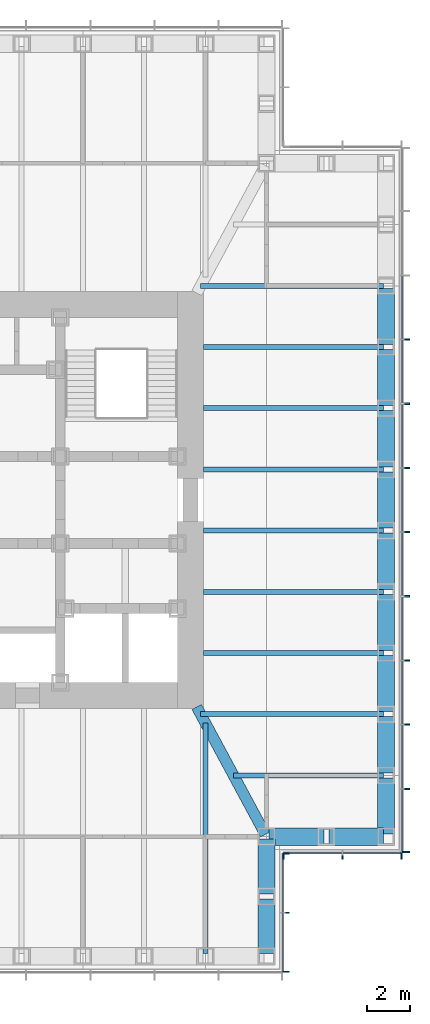
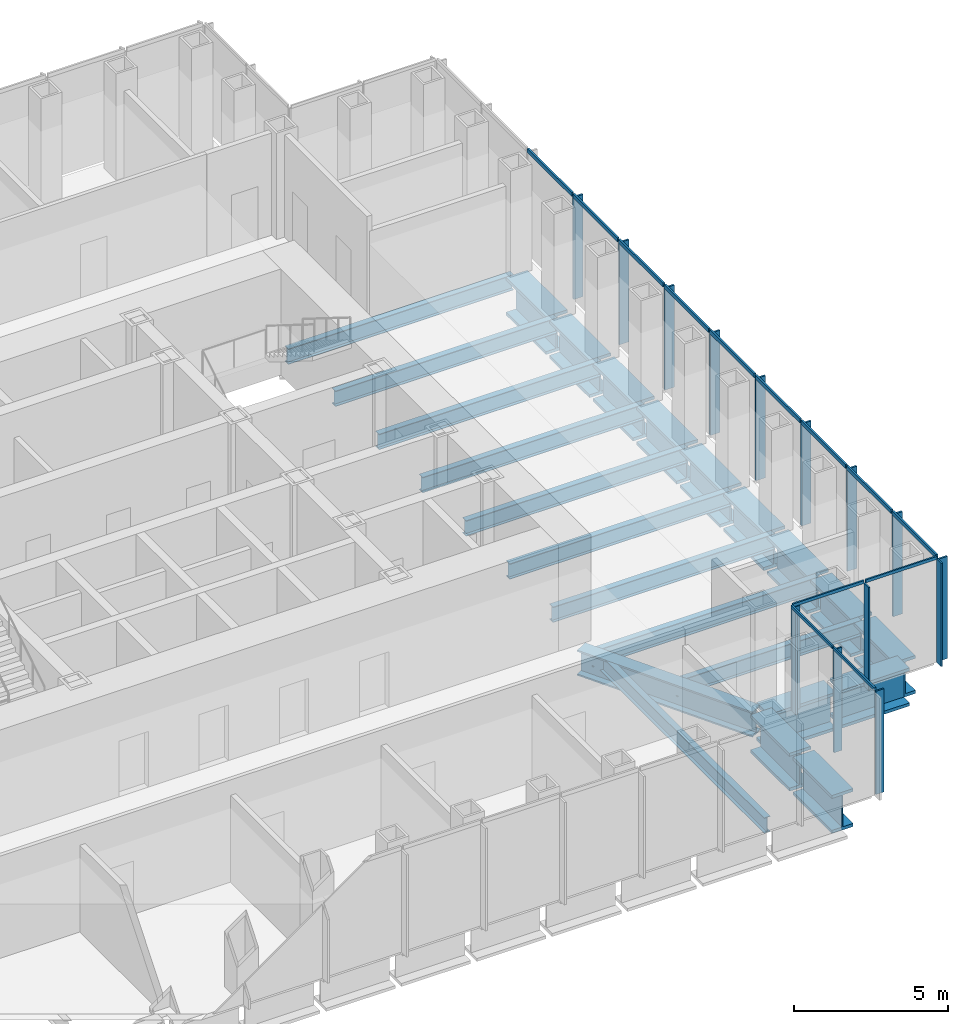
# One storey, part 4 of 16: 28 members, 24 beams, 3 elements without a shape of their own.
"""IFC4 building model written with IfcOpenShell, lengths in metres."""

from ifc_helpers import new_model, si_unit, direction, frame, origin, origin_2d, place, context, subcontext, project, spatial, rectangle, i_section, extrude, material, material_profile, profile_set, type_object, element, aggregate, save


model = new_model("IFC4")

# Units and contexts
model_context = context("Model", 3, precision=1e-05, world=origin(), true_north=direction((0.0, 1.0)))
body_context = subcontext(model_context, "Body", "Model", "MODEL_VIEW")
ifc_project = project(units=[si_unit("LENGTHUNIT", "METRE"), si_unit("AREAUNIT", "SQUARE_METRE"), si_unit("VOLUMEUNIT", "CUBIC_METRE"), si_unit("PLANEANGLEUNIT", "RADIAN"), si_unit("MASSUNIT", "GRAM", prefix="KILO")], contexts=[model_context])

# Site, building, storey
site_placement = place(None, origin())
site = spatial("IfcSite", under=ifc_project, at=site_placement, CompositionType="ELEMENT")
building_placement = place(site_placement, origin())
building = spatial("IfcBuilding", under=site, at=building_placement, Name="Daluyong Arena Tower", CompositionType="ELEMENT")
storey_placement = place(building_placement, frame((0.0, 0.0, 227.5)))
storey = spatial("IfcBuildingStorey", under=building, at=storey_placement, Name="L51", CompositionType="ELEMENT", Elevation=227.5)

# Curtain wall, members
ifc_material_1 = material(Name="Bronze anodised aluminium and glass", Category="aluminium")
curtain_wall_type_1 = type_object("IfcCurtainWallType", Name="Curtain wall CW3", PredefinedType="USERDEFINED", material=ifc_material_1)
curtain_wall_1_placement = place(storey_placement, origin())
curtain_wall_1 = element("IfcCurtainWall", 1, at=curtain_wall_1_placement, inside=storey, type_object=curtain_wall_type_1, Name="curtain wall L51 E", ObjectType="UNITISED CURTAIN WALL", PredefinedType="USERDEFINED")
ifc_material_2 = material(Name="Bronze anodised aluminium fin", Category="aluminium")
ifc_material_profile_1 = material_profile(ifc_material_2, rectangle(XDim=0.35009765625, YDim=0.070068359375, at=origin_2d()))
ifc_profile_set_1 = profile_set([ifc_material_profile_1], Name="Bronze anodised aluminium fin")
member_type_1 = type_object("IfcMemberType", Name="CW3 bronze fin 350x70", PredefinedType="MULLION", material=ifc_profile_set_1)
member_1_placement = place(storey_placement, frame((77.925048828125, 63.784912109375, 0.0), z_axis=(0.0, 0.0, 1.0), x_axis=(-1.0, 0.0, 0.0)))
member_1 = element("IfcMember", 2, at=member_1_placement, type_object=member_type_1, Name="curtain wall L51 E fin 1", PredefinedType="MULLION", context=body_context, shape_type="SweptSolid", body=[
    extrude(rectangle(XDim=0.35009765625, YDim=0.070068359375, at=origin_2d()), origin(), (0.0, 0.0, 1.0), 4.0400390625),
])
member_2_placement = place(storey_placement, frame((77.925048828125, 66.70458984375, 0.0), z_axis=(0.0, 0.0, 1.0), x_axis=(-1.0, 0.0, 0.0)))
member_2 = element("IfcMember", 3, at=member_2_placement, type_object=member_type_1, Name="curtain wall L51 E fin 2", PredefinedType="MULLION", context=body_context, shape_type="SweptSolid", body=[
    extrude(rectangle(XDim=0.35009765625, YDim=0.070068359375, at=origin_2d()), origin(), (0.0, 0.0, 1.0), 4.0400390625),
])
member_3_placement = place(storey_placement, frame((77.925048828125, 69.6591796875, 0.0), z_axis=(0.0, 0.0, 1.0), x_axis=(-1.0, 0.0, 0.0)))
member_3 = element("IfcMember", 4, at=member_3_placement, type_object=member_type_1, Name="curtain wall L51 E fin 3", PredefinedType="MULLION", context=body_context, shape_type="SweptSolid", body=[
    extrude(rectangle(XDim=0.35009765625, YDim=0.070068359375, at=origin_2d()), origin(), (0.0, 0.0, 1.0), 4.0400390625),
])
member_4_placement = place(storey_placement, frame((77.925048828125, 72.613525390625, 0.0), z_axis=(0.0, 0.0, 1.0), x_axis=(-1.0, 0.0, 0.0)))
member_4 = element("IfcMember", 5, at=member_4_placement, type_object=member_type_1, Name="curtain wall L51 E fin 4", PredefinedType="MULLION", context=body_context, shape_type="SweptSolid", body=[
    extrude(rectangle(XDim=0.35009765625, YDim=0.070068359375, at=origin_2d()), origin(), (0.0, 0.0, 1.0), 4.0400390625),
])
member_5_placement = place(storey_placement, frame((77.925048828125, 75.568115234375, 0.0), z_axis=(0.0, 0.0, 1.0), x_axis=(-1.0, 0.0, 0.0)))
member_5 = element("IfcMember", 6, at=member_5_placement, type_object=member_type_1, Name="curtain wall L51 E fin 5", PredefinedType="MULLION", context=body_context, shape_type="SweptSolid", body=[
    extrude(rectangle(XDim=0.35009765625, YDim=0.070068359375, at=origin_2d()), origin(), (0.0, 0.0, 1.0), 4.0400390625),
])
member_6_placement = place(storey_placement, frame((77.925048828125, 78.522705078125, 0.0), z_axis=(0.0, 0.0, 1.0), x_axis=(-1.0, 0.0, 0.0)))
member_6 = element("IfcMember", 7, at=member_6_placement, type_object=member_type_1, Name="curtain wall L51 E fin 6", PredefinedType="MULLION", context=body_context, shape_type="SweptSolid", body=[
    extrude(rectangle(XDim=0.35009765625, YDim=0.070068359375, at=origin_2d()), origin(), (0.0, 0.0, 1.0), 4.0400390625),
])
member_7_placement = place(storey_placement, frame((77.925048828125, 81.477294921875, 0.0), z_axis=(0.0, 0.0, 1.0), x_axis=(-1.0, 0.0, 0.0)))
member_7 = element("IfcMember", 8, at=member_7_placement, type_object=member_type_1, Name="curtain wall L51 E fin 7", PredefinedType="MULLION", context=body_context, shape_type="SweptSolid", body=[
    extrude(rectangle(XDim=0.35009765625, YDim=0.070068359375, at=origin_2d()), origin(), (0.0, 0.0, 1.0), 4.0400390625),
])
member_8_placement = place(storey_placement, frame((77.925048828125, 84.431884765625, 0.0), z_axis=(0.0, 0.0, 1.0), x_axis=(-1.0, 0.0, 0.0)))
member_8 = element("IfcMember", 9, at=member_8_placement, type_object=member_type_1, Name="curtain wall L51 E fin 8", PredefinedType="MULLION", context=body_context, shape_type="SweptSolid", body=[
    extrude(rectangle(XDim=0.35009765625, YDim=0.070068359375, at=origin_2d()), origin(), (0.0, 0.0, 1.0), 4.0400390625),
])
member_9_placement = place(storey_placement, frame((77.925048828125, 87.386474609375, 0.0), z_axis=(0.0, 0.0, 1.0), x_axis=(-1.0, 0.0, 0.0)))
member_9 = element("IfcMember", 10, at=member_9_placement, type_object=member_type_1, Name="curtain wall L51 E fin 9", PredefinedType="MULLION", context=body_context, shape_type="SweptSolid", body=[
    extrude(rectangle(XDim=0.35009765625, YDim=0.070068359375, at=origin_2d()), origin(), (0.0, 0.0, 1.0), 4.0400390625),
])
ifc_material_3 = material(Name="Bronze anodised aluminium", Category="aluminium")
ifc_material_profile_2 = material_profile(ifc_material_3, rectangle(XDim=0.070068359375, YDim=0.159912109375, at=origin_2d()))
ifc_profile_set_2 = profile_set([ifc_material_profile_2], Name="Bronze anodised aluminium")
member_type_2 = type_object("IfcMemberType", Name="CW3 stack transom 160x70", PredefinedType="USERDEFINED", material=ifc_profile_set_2)
member_10_placement = place(storey_placement, frame((77.75, 63.820068359375, 4.1201171875), z_axis=(0.0, 1.0, 0.0), x_axis=(-1.0, 0.0, 0.0)))
member_10 = element("IfcMember", 11, at=member_10_placement, type_object=member_type_2, Name="curtain wall L51 E transom 1", ObjectType="TRANSOM", PredefinedType="USERDEFINED", context=body_context, shape_type="SweptSolid", body=[
    extrude(rectangle(XDim=0.070068359375, YDim=0.159912109375, at=origin_2d()), origin(), (0.0, 0.0, 1.0), 2.849365234375),
])
member_11_placement = place(storey_placement, frame((77.75, 66.739501953125, 4.1201171875), z_axis=(0.0, 1.0, 0.0), x_axis=(-1.0, 0.0, 0.0)))
member_11 = element("IfcMember", 12, at=member_11_placement, type_object=member_type_2, Name="curtain wall L51 E transom 2", ObjectType="TRANSOM", PredefinedType="USERDEFINED", context=body_context, shape_type="SweptSolid", body=[
    extrude(rectangle(XDim=0.070068359375, YDim=0.159912109375, at=origin_2d()), origin(), (0.0, 0.0, 1.0), 2.884521484375),
])
member_12_placement = place(storey_placement, frame((77.75, 69.694091796875, 4.1201171875), z_axis=(0.0, 1.0, 0.0), x_axis=(-1.0, 0.0, 0.0)))
member_12 = element("IfcMember", 13, at=member_12_placement, type_object=member_type_2, Name="curtain wall L51 E transom 3", ObjectType="TRANSOM", PredefinedType="USERDEFINED", context=body_context, shape_type="SweptSolid", body=[
    extrude(rectangle(XDim=0.070068359375, YDim=0.159912109375, at=origin_2d()), origin(), (0.0, 0.0, 1.0), 2.884521484375),
])
member_13_placement = place(storey_placement, frame((77.75, 72.648681640625, 4.1201171875), z_axis=(0.0, 1.0, 0.0), x_axis=(-1.0, 0.0, 0.0)))
member_13 = element("IfcMember", 14, at=member_13_placement, type_object=member_type_2, Name="curtain wall L51 E transom 4", ObjectType="TRANSOM", PredefinedType="USERDEFINED", context=body_context, shape_type="SweptSolid", body=[
    extrude(rectangle(XDim=0.070068359375, YDim=0.159912109375, at=origin_2d()), origin(), (0.0, 0.0, 1.0), 2.884521484375),
])
member_14_placement = place(storey_placement, frame((77.75, 75.603271484375, 4.1201171875), z_axis=(0.0, 1.0, 0.0), x_axis=(-1.0, 0.0, 0.0)))
member_14 = element("IfcMember", 15, at=member_14_placement, type_object=member_type_2, Name="curtain wall L51 E transom 5", ObjectType="TRANSOM", PredefinedType="USERDEFINED", context=body_context, shape_type="SweptSolid", body=[
    extrude(rectangle(XDim=0.070068359375, YDim=0.159912109375, at=origin_2d()), origin(), (0.0, 0.0, 1.0), 2.884521484375),
])
member_15_placement = place(storey_placement, frame((77.75, 78.5576171875, 4.1201171875), z_axis=(0.0, 1.0, 0.0), x_axis=(-1.0, 0.0, 0.0)))
member_15 = element("IfcMember", 16, at=member_15_placement, type_object=member_type_2, Name="curtain wall L51 E transom 6", ObjectType="TRANSOM", PredefinedType="USERDEFINED", context=body_context, shape_type="SweptSolid", body=[
    extrude(rectangle(XDim=0.070068359375, YDim=0.159912109375, at=origin_2d()), origin(), (0.0, 0.0, 1.0), 2.884765625),
])
member_16_placement = place(storey_placement, frame((77.75, 81.51220703125, 4.1201171875), z_axis=(0.0, 1.0, 0.0), x_axis=(-1.0, 0.0, 0.0)))
member_16 = element("IfcMember", 17, at=member_16_placement, type_object=member_type_2, Name="curtain wall L51 E transom 7", ObjectType="TRANSOM", PredefinedType="USERDEFINED", context=body_context, shape_type="SweptSolid", body=[
    extrude(rectangle(XDim=0.070068359375, YDim=0.159912109375, at=origin_2d()), origin(), (0.0, 0.0, 1.0), 2.884521484375),
])
member_17_placement = place(storey_placement, frame((77.75, 84.466796875, 4.1201171875), z_axis=(0.0, 1.0, 0.0), x_axis=(-1.0, 0.0, 0.0)))
member_17 = element("IfcMember", 18, at=member_17_placement, type_object=member_type_2, Name="curtain wall L51 E transom 8", ObjectType="TRANSOM", PredefinedType="USERDEFINED", context=body_context, shape_type="SweptSolid", body=[
    extrude(rectangle(XDim=0.070068359375, YDim=0.159912109375, at=origin_2d()), origin(), (0.0, 0.0, 1.0), 2.884521484375),
])
member_18_placement = place(storey_placement, frame((77.75, 87.42138671875, 4.1201171875), z_axis=(0.0, 1.0, 0.0), x_axis=(-1.0, 0.0, 0.0)))
member_18 = element("IfcMember", 19, at=member_18_placement, type_object=member_type_2, Name="curtain wall L51 E transom 9", ObjectType="TRANSOM", PredefinedType="USERDEFINED", context=body_context, shape_type="SweptSolid", body=[
    extrude(rectangle(XDim=0.070068359375, YDim=0.159912109375, at=origin_2d()), origin(), (0.0, 0.0, 1.0), 2.884521484375),
])
aggregate(curtain_wall_1, [member_1, member_2, member_3, member_4, member_5, member_6, member_7, member_8, member_9, member_10, member_11, member_12, member_13, member_14, member_15, member_16, member_17, member_18])

ifc_material_4 = material(Name="Bronze anodised aluminium and glass", Category="aluminium")
curtain_wall_type_2 = type_object("IfcCurtainWallType", Name="Curtain wall CW7", PredefinedType="USERDEFINED", material=ifc_material_4)
curtain_wall_2_placement = place(storey_placement, origin())
curtain_wall_2 = element("IfcCurtainWall", 20, at=curtain_wall_2_placement, inside=storey, type_object=curtain_wall_type_2, Name="curtain wall L51 SE-E", ObjectType="UNITISED CURTAIN WALL", PredefinedType="USERDEFINED")
ifc_material_5 = material(Name="Bronze anodised aluminium fin", Category="aluminium")
ifc_material_profile_3 = material_profile(ifc_material_5, rectangle(XDim=0.300048828125, YDim=0.06005859375, at=origin_2d()))
ifc_profile_set_3 = profile_set([ifc_material_profile_3], Name="Bronze anodised aluminium fin")
member_type_3 = type_object("IfcMemberType", Name="CW7 bronze fin 300x60", PredefinedType="MULLION", material=ifc_profile_set_3)
member_19_placement = place(storey_placement, frame((72.39990234375, 58.280029296875, 0.0), z_axis=(0.0, 0.0, 1.0), x_axis=(-1.0, 0.0, 0.0)))
member_19 = element("IfcMember", 21, at=member_19_placement, type_object=member_type_3, Name="curtain wall L51 SE-E fin 1", PredefinedType="MULLION", context=body_context, shape_type="SweptSolid", body=[
    extrude(rectangle(XDim=0.300048828125, YDim=0.06005859375, at=origin_2d()), origin(), (0.0, 0.0, 1.0), 4.080078125),
])
member_20_placement = place(storey_placement, frame((72.39990234375, 61.0, 0.0), z_axis=(0.0, 0.0, 1.0), x_axis=(-1.0, 0.0, 0.0)))
member_20 = element("IfcMember", 22, at=member_20_placement, type_object=member_type_3, Name="curtain wall L51 SE-E fin 2", PredefinedType="MULLION", context=body_context, shape_type="SweptSolid", body=[
    extrude(rectangle(XDim=0.300048828125, YDim=0.06005859375, at=origin_2d()), origin(), (0.0, 0.0, 1.0), 4.080078125),
])
member_21_placement = place(storey_placement, frame((72.39990234375, 63.719970703125, 0.0), z_axis=(0.0, 0.0, 1.0), x_axis=(-1.0, 0.0, 0.0)))
member_21 = element("IfcMember", 23, at=member_21_placement, type_object=member_type_3, Name="curtain wall L51 SE-E fin 3", PredefinedType="MULLION", context=body_context, shape_type="SweptSolid", body=[
    extrude(rectangle(XDim=0.300048828125, YDim=0.06005859375, at=origin_2d()), origin(), (0.0, 0.0, 1.0), 4.080078125),
])

curtain_wall_3_placement = place(storey_placement, origin())
curtain_wall_3 = element("IfcCurtainWall", 24, at=curtain_wall_3_placement, inside=storey, type_object=curtain_wall_type_2, Name="curtain wall L51 SE-S", ObjectType="UNITISED CURTAIN WALL", PredefinedType="USERDEFINED")
member_22_placement = place(storey_placement, frame((72.280029296875, 63.60009765625, 0.0), z_axis=(0.0, 0.0, 1.0), x_axis=(0.0, 1.0, 0.0)))
member_22 = element("IfcMember", 25, at=member_22_placement, type_object=member_type_3, Name="curtain wall L51 SE-S fin 1", PredefinedType="MULLION", context=body_context, shape_type="SweptSolid", body=[
    extrude(rectangle(XDim=0.300048828125, YDim=0.06005859375, at=origin_2d()), origin(), (0.0, 0.0, 1.0), 4.080078125),
])
member_23_placement = place(storey_placement, frame((75.0, 63.60009765625, 0.0), z_axis=(0.0, 0.0, 1.0), x_axis=(0.0, 1.0, 0.0)))
member_23 = element("IfcMember", 26, at=member_23_placement, type_object=member_type_3, Name="curtain wall L51 SE-S fin 2", PredefinedType="MULLION", context=body_context, shape_type="SweptSolid", body=[
    extrude(rectangle(XDim=0.300048828125, YDim=0.06005859375, at=origin_2d()), origin(), (0.0, 0.0, 1.0), 4.080078125),
])
member_24_placement = place(storey_placement, frame((77.719970703125, 63.60009765625, 0.0), z_axis=(0.0, 0.0, 1.0), x_axis=(0.0, 1.0, 0.0)))
member_24 = element("IfcMember", 27, at=member_24_placement, type_object=member_type_3, Name="curtain wall L51 SE-S fin 3", PredefinedType="MULLION", context=body_context, shape_type="SweptSolid", body=[
    extrude(rectangle(XDim=0.300048828125, YDim=0.06005859375, at=origin_2d()), origin(), (0.0, 0.0, 1.0), 4.080078125),
])

# Member
ifc_material_6 = material(Name="Bronze anodised aluminium", Category="aluminium")
ifc_material_profile_4 = material_profile(ifc_material_6, rectangle(XDim=0.06005859375, YDim=0.1201171875, at=origin_2d()))
ifc_profile_set_4 = profile_set([ifc_material_profile_4], Name="Bronze anodised aluminium")
member_type_4 = type_object("IfcMemberType", Name="CW7 stack transom 120x60", PredefinedType="USERDEFINED", material=ifc_profile_set_4)
member_25_placement = place(storey_placement, frame((72.25, 58.31005859375, 4.139892578125), z_axis=(0.0, 1.0, 0.0), x_axis=(-1.0, 0.0, 0.0)))
member_25 = element("IfcMember", 28, at=member_25_placement, type_object=member_type_4, Name="curtain wall L51 SE-E transom 1", ObjectType="TRANSOM", PredefinedType="USERDEFINED", context=body_context, shape_type="SweptSolid", body=[
    extrude(rectangle(XDim=0.06005859375, YDim=0.1201171875, at=origin_2d()), origin(), (0.0, 0.0, 1.0), 2.659912109375),
])

member_26_placement = place(storey_placement, frame((72.25, 61.030029296875, 4.139892578125), z_axis=(0.0, 1.0, 0.0), x_axis=(-1.0, 0.0, 0.0)))
member_26 = element("IfcMember", 29, at=member_26_placement, type_object=member_type_4, Name="curtain wall L51 SE-E transom 2", ObjectType="TRANSOM", PredefinedType="USERDEFINED", context=body_context, shape_type="SweptSolid", body=[
    extrude(rectangle(XDim=0.06005859375, YDim=0.1201171875, at=origin_2d()), origin(), (0.0, 0.0, 1.0), 2.659912109375),
])

aggregate(curtain_wall_2, [member_19, member_20, member_21, member_25, member_26])

member_27_placement = place(storey_placement, frame((72.31005859375, 63.75, 4.139892578125), z_axis=(1.0, 0.0, 0.0), x_axis=(0.0, 1.0, 0.0)))
member_27 = element("IfcMember", 30, at=member_27_placement, type_object=member_type_4, Name="curtain wall L51 SE-S transom 1", ObjectType="TRANSOM", PredefinedType="USERDEFINED", context=body_context, shape_type="SweptSolid", body=[
    extrude(rectangle(XDim=0.06005859375, YDim=0.1201171875, at=origin_2d()), origin(), (0.0, 0.0, 1.0), 2.659912109375),
])

member_28_placement = place(storey_placement, frame((75.030029296875, 63.75, 4.139892578125), z_axis=(1.0, 0.0, 0.0), x_axis=(0.0, 1.0, 0.0)))
member_28 = element("IfcMember", 31, at=member_28_placement, type_object=member_type_4, Name="curtain wall L51 SE-S transom 2", ObjectType="TRANSOM", PredefinedType="USERDEFINED", context=body_context, shape_type="SweptSolid", body=[
    extrude(rectangle(XDim=0.06005859375, YDim=0.1201171875, at=origin_2d()), origin(), (0.0, 0.0, 1.0), 2.659912109375),
])

aggregate(curtain_wall_3, [member_22, member_23, member_24, member_27, member_28])

# Beams
ifc_material_7 = material(Name="Steel ASTM A572 Grade 50", Category="steel")
ifc_material_profile_5 = material_profile(ifc_material_7, i_section(OverallWidth=0.5, OverallDepth=1.0, WebThickness=0.03, FlangeThickness=0.06, at=origin_2d()))
ifc_profile_set_5 = profile_set([ifc_material_profile_5], Name="Steel ASTM A572 Grade 50")
beam_type_1 = type_object("IfcBeamType", Name="Corner girder TB1000X500", PredefinedType="BEAM", material=ifc_profile_set_5)
beam_1_placement = place(storey_placement, frame((71.445556640625, 64.601318359375, -0.659912109375), z_axis=(-0.474119475266, 0.880460517669, 0.0), x_axis=(-0.880460517669, -0.474119475266, 0.0)))
element("IfcBeam", 32, at=beam_1_placement, inside=storey, type_object=beam_type_1, Name="corner girder DG2", PredefinedType="BEAM", context=body_context, shape_type="SweptSolid", body=[
    extrude(i_section(OverallWidth=0.5, OverallDepth=1.0, WebThickness=0.03, FlangeThickness=0.06, at=origin_2d()), origin(), (0.0, 0.0, 1.0), 6.66748046875),
])
ifc_material_8 = material(Name="Steel ASTM A992 Grade 50", Category="steel")
ifc_material_profile_6 = material_profile(ifc_material_8, i_section(OverallWidth=0.22900390625, OverallDepth=0.612060546875, WebThickness=0.011962890625, FlangeThickness=0.01953125, at=origin_2d()))
ifc_profile_set_6 = profile_set([ifc_material_profile_6], Name="Steel ASTM A992 Grade 50")
beam_type_2 = type_object("IfcBeamType", Name="Floor beam W24X84", PredefinedType="BEAM", material=ifc_profile_set_6)
beam_2_placement = place(storey_placement, frame((68.681884765625, 59.114990234375, -0.466064453125), z_axis=(0.0, 1.0, 0.0), x_axis=(-1.0, 0.0, 0.0)))
element("IfcBeam", 33, at=beam_2_placement, inside=storey, type_object=beam_type_2, Name="floor beam FB3", PredefinedType="BEAM", context=body_context, shape_type="SweptSolid", body=[
    extrude(i_section(OverallWidth=0.22900390625, OverallDepth=0.612060546875, WebThickness=0.011962890625, FlangeThickness=0.01953125, at=origin_2d()), origin(), (0.0, 0.0, 1.0), 10.618896484375),
])
beam_3_placement = place(storey_placement, frame((76.885009765625, 67.318115234375, -0.466064453125), z_axis=(-1.0, 0.0, 0.0), x_axis=(0.0, -1.0, 0.0)))
element("IfcBeam", 34, at=beam_3_placement, inside=storey, type_object=beam_type_2, Name="floor beam FB3", PredefinedType="BEAM", context=body_context, shape_type="SweptSolid", body=[
    extrude(i_section(OverallWidth=0.22900390625, OverallDepth=0.612060546875, WebThickness=0.011962890625, FlangeThickness=0.01953125, at=origin_2d()), origin(), (0.0, 0.0, 1.0), 6.902587890625),
])
beam_4_placement = place(storey_placement, frame((76.885009765625, 70.136474609375, -0.466064453125), z_axis=(-1.0, 0.0, 0.0), x_axis=(0.0, -1.0, 0.0)))
element("IfcBeam", 35, at=beam_4_placement, inside=storey, type_object=beam_type_2, Name="floor beam FB3", PredefinedType="BEAM", context=body_context, shape_type="SweptSolid", body=[
    extrude(i_section(OverallWidth=0.22900390625, OverallDepth=0.612060546875, WebThickness=0.011962890625, FlangeThickness=0.01953125, at=origin_2d()), origin(), (0.0, 0.0, 1.0), 8.419921875),
])
for number, where, z_axis, x_axis, name in (
    (36, (76.885009765625, 72.95458984375, -0.466064453125), (-1.0, 0.0, 0.0), (0.0, -1.0, 0.0), "floor beam FB3"),
    (37, (76.885009765625, 75.772705078125, -0.466064453125), (-1.0, 0.0, 0.0), (0.0, -1.0, 0.0), "floor beam FB3"),
    (38, (76.885009765625, 78.5908203125, -0.466064453125), (-1.0, 0.0, 0.0), (0.0, -1.0, 0.0), "floor beam FB3"),
    (39, (76.885009765625, 81.4091796875, -0.466064453125), (-1.0, 0.0, 0.0), (0.0, -1.0, 0.0), "floor beam FB3"),
    (40, (76.885009765625, 84.227294921875, -0.466064453125), (-1.0, 0.0, 0.0), (0.0, -1.0, 0.0), "floor beam FB3"),
    (41, (76.885009765625, 87.04541015625, -0.466064453125), (-1.0, 0.0, 0.0), (0.0, -1.0, 0.0), "floor beam FB3"),
):
    element("IfcBeam", number, at=place(storey_placement, frame(where, z_axis=z_axis, x_axis=x_axis)), inside=storey, type_object=beam_type_2, Name=name, PredefinedType="BEAM", context=body_context, shape_type="SweptSolid", body=[
        extrude(i_section(OverallWidth=0.22900390625, OverallDepth=0.612060546875, WebThickness=0.011962890625, FlangeThickness=0.01953125, at=origin_2d()), origin(), (0.0, 0.0, 1.0), 8.284912109375),
    ])
beam_5_placement = place(storey_placement, frame((76.885009765625, 89.863525390625, -0.466064453125), z_axis=(-1.0, 0.0, 0.0), x_axis=(0.0, -1.0, 0.0)))
element("IfcBeam", 42, at=beam_5_placement, inside=storey, type_object=beam_type_2, Name="floor beam FB3", PredefinedType="BEAM", context=body_context, shape_type="SweptSolid", body=[
    extrude(i_section(OverallWidth=0.22900390625, OverallDepth=0.612060546875, WebThickness=0.011962890625, FlangeThickness=0.01953125, at=origin_2d()), origin(), (0.0, 0.0, 1.0), 8.419921875),
])
ifc_material_9 = material(Name="Steel ASTM A588 Grade 50", Category="steel")
ifc_material_profile_7 = material_profile(ifc_material_9, i_section(OverallWidth=0.800048828125, OverallDepth=1.5, WebThickness=0.05, FlangeThickness=0.12, at=origin_2d()))
ifc_profile_set_7 = profile_set([ifc_material_profile_7], Name="Steel ASTM A588 Grade 50")
beam_type_3 = type_object("IfcBeamType", Name="Spandrel Z3 PG1500X800", PredefinedType="SPANDREL", material=ifc_profile_set_7)
for number, where, z_axis, x_axis, name in (
    (43, (71.5, 59.114990234375, -0.909912109375), (0.0, 1.0, 0.0), (-1.0, 0.0, 0.0), "spandrel z3 SB7"),
    (44, (71.5, 61.864990234375, -0.909912109375), (0.0, 1.0, 0.0), (-1.0, 0.0, 0.0), "spandrel z3 SB7"),
    (45, (71.614990234375, 64.5, -0.909912109375), (1.0, 0.0, 0.0), (0.0, 1.0, 0.0), "spandrel z3 SB7"),
    (46, (74.364990234375, 64.5, -0.909912109375), (1.0, 0.0, 0.0), (0.0, 1.0, 0.0), "spandrel z3 SB7"),
):
    element("IfcBeam", number, at=place(storey_placement, frame(where, z_axis=z_axis, x_axis=x_axis)), inside=storey, type_object=beam_type_3, Name=name, PredefinedType="SPANDREL", context=body_context, shape_type="SweptSolid", body=[
        extrude(i_section(OverallWidth=0.800048828125, OverallDepth=1.5, WebThickness=0.05, FlangeThickness=0.12, at=origin_2d()), origin(), (0.0, 0.0, 1.0), 2.52001953125),
    ])
beam_6_placement = place(storey_placement, frame((77.0, 64.614990234375, -0.909912109375), z_axis=(0.0, 1.0, 0.0), x_axis=(-1.0, 0.0, 0.0)))
element("IfcBeam", 47, at=beam_6_placement, inside=storey, type_object=beam_type_3, Name="spandrel z3 SB7", PredefinedType="SPANDREL", context=body_context, shape_type="SweptSolid", body=[
    extrude(i_section(OverallWidth=0.800048828125, OverallDepth=1.5, WebThickness=0.05, FlangeThickness=0.12, at=origin_2d()), origin(), (0.0, 0.0, 1.0), 2.588134765625),
])
beam_7_placement = place(storey_placement, frame((77.0, 67.43310546875, -0.909912109375), z_axis=(0.0, 1.0, 0.0), x_axis=(-1.0, 0.0, 0.0)))
element("IfcBeam", 48, at=beam_7_placement, inside=storey, type_object=beam_type_3, Name="spandrel z3 SB7", PredefinedType="SPANDREL", context=body_context, shape_type="SweptSolid", body=[
    extrude(i_section(OverallWidth=0.800048828125, OverallDepth=1.5, WebThickness=0.05, FlangeThickness=0.12, at=origin_2d()), origin(), (0.0, 0.0, 1.0), 2.58837890625),
])
for number, where, z_axis, x_axis, name in (
    (49, (77.0, 70.25146484375, -0.909912109375), (0.0, 1.0, 0.0), (-1.0, 0.0, 0.0), "spandrel z3 SB7"),
    (50, (77.0, 73.069580078125, -0.909912109375), (0.0, 1.0, 0.0), (-1.0, 0.0, 0.0), "spandrel z3 SB7"),
    (51, (77.0, 75.8876953125, -0.909912109375), (0.0, 1.0, 0.0), (-1.0, 0.0, 0.0), "spandrel z3 SB7"),
):
    element("IfcBeam", number, at=place(storey_placement, frame(where, z_axis=z_axis, x_axis=x_axis)), inside=storey, type_object=beam_type_3, Name=name, PredefinedType="SPANDREL", context=body_context, shape_type="SweptSolid", body=[
        extrude(i_section(OverallWidth=0.800048828125, OverallDepth=1.5, WebThickness=0.05, FlangeThickness=0.12, at=origin_2d()), origin(), (0.0, 0.0, 1.0), 2.588134765625),
    ])
beam_8_placement = place(storey_placement, frame((77.0, 78.705810546875, -0.909912109375), z_axis=(0.0, 1.0, 0.0), x_axis=(-1.0, 0.0, 0.0)))
element("IfcBeam", 52, at=beam_8_placement, inside=storey, type_object=beam_type_3, Name="spandrel z3 SB7", PredefinedType="SPANDREL", context=body_context, shape_type="SweptSolid", body=[
    extrude(i_section(OverallWidth=0.800048828125, OverallDepth=1.5, WebThickness=0.05, FlangeThickness=0.12, at=origin_2d()), origin(), (0.0, 0.0, 1.0), 2.58837890625),
])
for number, where, z_axis, x_axis, name in (
    (53, (77.0, 81.524169921875, -0.909912109375), (0.0, 1.0, 0.0), (-1.0, 0.0, 0.0), "spandrel z3 SB7"),
    (54, (77.0, 84.34228515625, -0.909912109375), (0.0, 1.0, 0.0), (-1.0, 0.0, 0.0), "spandrel z3 SB7"),
    (55, (77.0, 87.160400390625, -0.909912109375), (0.0, 1.0, 0.0), (-1.0, 0.0, 0.0), "spandrel z3 SB7"),
):
    element("IfcBeam", number, at=place(storey_placement, frame(where, z_axis=z_axis, x_axis=x_axis)), inside=storey, type_object=beam_type_3, Name=name, PredefinedType="SPANDREL", context=body_context, shape_type="SweptSolid", body=[
        extrude(i_section(OverallWidth=0.800048828125, OverallDepth=1.5, WebThickness=0.05, FlangeThickness=0.12, at=origin_2d()), origin(), (0.0, 0.0, 1.0), 2.588134765625),
    ])

save(model, "model.ifc")
